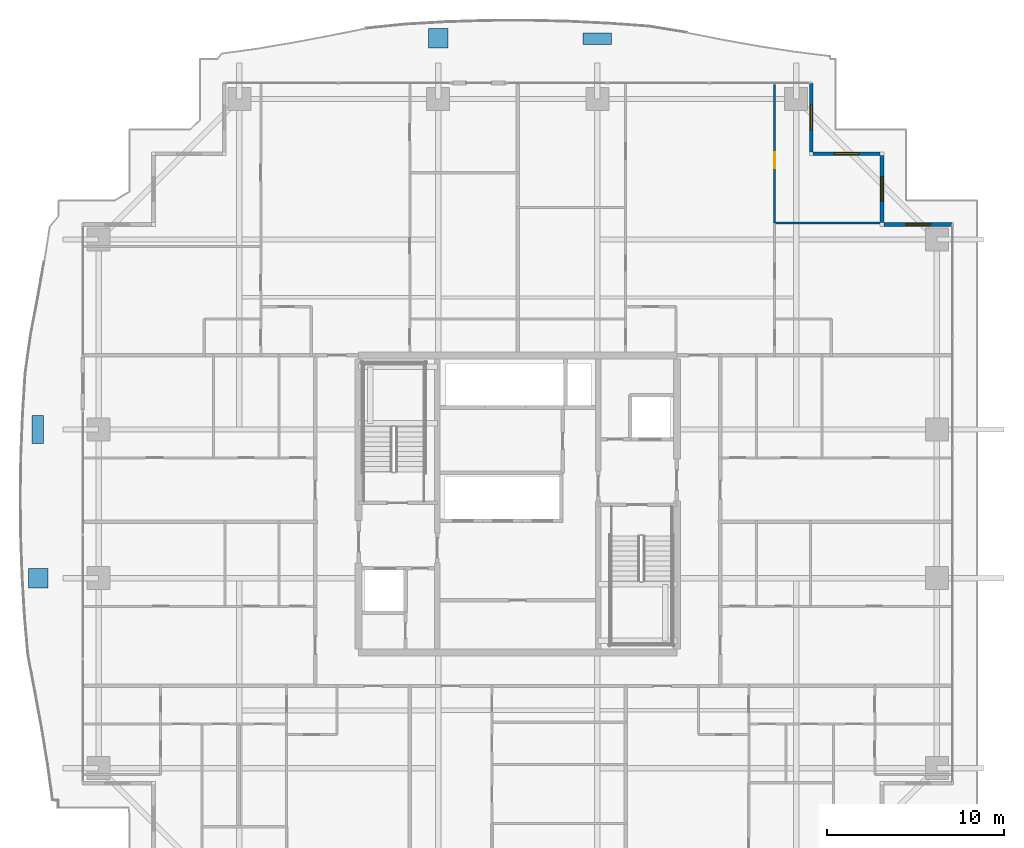
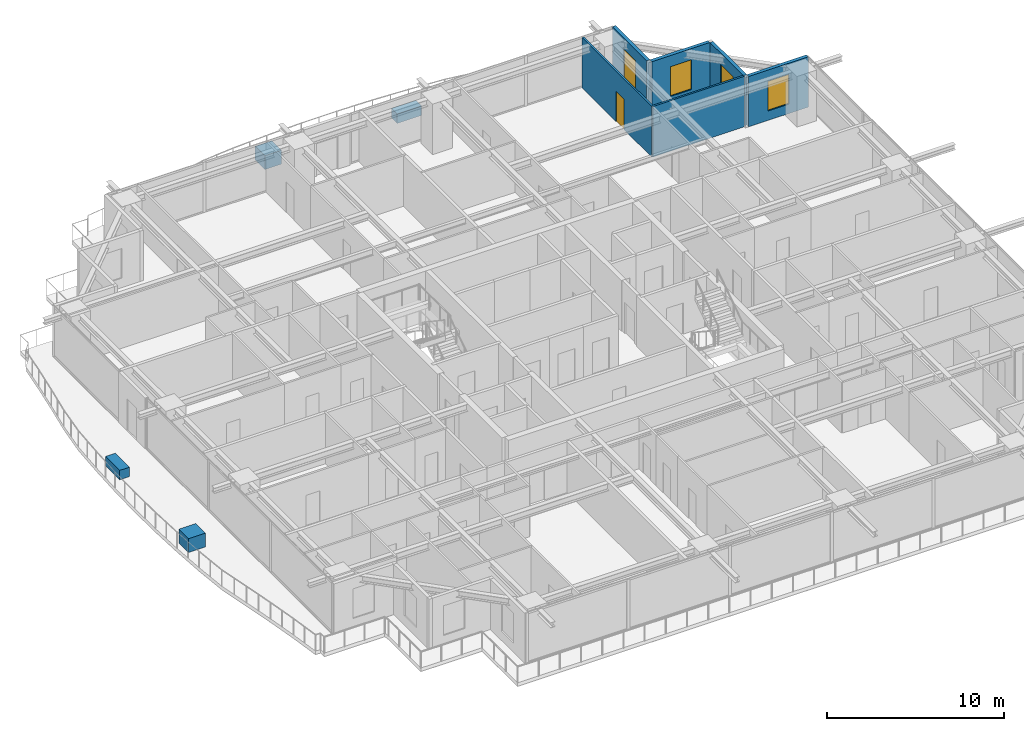
# One storey, part 31 of 37: 6 walls, 4 discrete accessories, 4 windows, 1 door, 5 openings.
"""IFC4 building model written with IfcOpenShell, lengths in metres."""

from ifc_helpers import new_model, si_unit, direction, frame, frame_2d, origin, origin_2d, place, context, subcontext, project, spatial, rectangle, extrude, source, transform, mapped, material, layer, layer_set, type_object, element, fill, save


model = new_model("IFC4")

# Units and contexts
model_context = context("Model", 3, precision=1e-05, world=origin(), true_north=direction((0.0, 1.0)))
body_context = subcontext(model_context, "Body", "Model", "MODEL_VIEW")
ifc_project = project(units=[si_unit("LENGTHUNIT", "METRE"), si_unit("AREAUNIT", "SQUARE_METRE"), si_unit("VOLUMEUNIT", "CUBIC_METRE"), si_unit("PLANEANGLEUNIT", "RADIAN"), si_unit("MASSUNIT", "GRAM", prefix="KILO")], contexts=[model_context])

# Site, building, storey
site_placement = place(None, origin())
site = spatial("IfcSite", under=ifc_project, at=site_placement, CompositionType="ELEMENT")
building_placement = place(site_placement, origin())
building = spatial("IfcBuilding", under=site, at=building_placement, Name="Serunith Strait Residences", CompositionType="ELEMENT")
storey_placement = place(building_placement, frame((0.0, 0.0, 127.64990234375)))
storey = spatial("IfcBuildingStorey", under=building, at=storey_placement, Name="L31", CompositionType="ELEMENT", Elevation=127.64990234375)

# Wall, opening, window
ifc_material_1 = material(Name="Pale-Champagne Aluminium Insulated Panel", Category="aluminium")
ifc_layer_1 = layer(ifc_material_1, 0.219970703125, Name="Pale-Champagne Aluminium Insulated Panel")
ifc_layer_set_1 = layer_set([ifc_layer_1], Name="Pale-Champagne Aluminium Insulated Panel")
wall_type_1 = type_object("IfcWallType", Name="EW-ALUM-220", PredefinedType="ELEMENTEDWALL", material=ifc_layer_set_1)
wall_1_placement = place(storey_placement, frame((57.0, 41.0, 0.0), z_axis=(0.0, 0.0, 1.0), x_axis=(-1.0, 0.0, 0.0)))
wall_1 = element("IfcWall", 1, at=wall_1_placement, inside=storey, type_object=wall_type_1, Name="L31 Girih Serrated Corner Wall 07", PredefinedType="ELEMENTEDWALL", context=body_context, shape_type="SweptSolid", body=[
    extrude(rectangle(XDim=3.889892578125, YDim=0.219970703125, at=frame_2d((1.94482421875, 0.0))), origin(), (0.0, 0.0, 1.0), 3.47509765625),
])
opening_1_placement = place(wall_1_placement, frame((1.2451171875, 0.0, 0.64990234375)))
opening_1 = element("IfcOpeningElement", 2, at=opening_1_placement, cuts=wall_1, Name="Opening W-03", PredefinedType="OPENING", context=body_context, shape_type="SweptSolid", body=[
    extrude(rectangle(XDim=1.39990234375, YDim=2.050048828125, at=frame_2d((0.699951171875, 1.02490234375))), frame((0.0, 0.1201171875, 0.0), z_axis=(0.0, -1.0, 0.0), x_axis=(1.0, 0.0, 0.0)), (0.0, 0.0, 1.0), 0.239990234375),
])
ifc_material_2 = material(Name="Ceramic-Fritted Operable Aluminium Window Glass", Category="aluminium")
window_type = type_object("IfcWindowType", Name="WIN-C3", PartitioningType="SINGLE_PANEL", PredefinedType="WINDOW", material=ifc_material_2)
shared_shape_1 = source(origin(), body_context, "Body", "SweptSolid", [
    extrude(rectangle(XDim=1.39990234375, YDim=2.050048828125, at=frame_2d((0.699951171875, 1.02490234375))), frame((0.0, 0.030029296875, 0.0), z_axis=(0.0, -1.0, 0.0), x_axis=(1.0, 0.0, 0.0)), (0.0, 0.0, 1.0), 0.06005859375),
])
window_1_placement = place(opening_1_placement, origin())
window_1 = element("IfcWindow", 3, at=window_1_placement, inside=storey, type_object=window_type, Name="L31 Corner Operable Fritted Window 07", OverallHeight=2.050048828125, OverallWidth=1.39990234375, PartitioningType="SINGLE_PANEL", PredefinedType="WINDOW", context=body_context, shape_type="MappedRepresentation", body=[
    mapped(shared_shape_1, transform((0.0, 0.0, 0.0), scale=1.0)),
])
fill(opening_1, window_1)

wall_2_placement = place(storey_placement, frame((53.0, 41.110107421875, 0.0), z_axis=(0.0, 0.0, 1.0), x_axis=(0.0, 1.0, 0.0)))
wall_2 = element("IfcWall", 4, at=wall_2_placement, inside=storey, type_object=wall_type_1, Name="L31 Girih Serrated Corner Wall 08", PredefinedType="ELEMENTEDWALL", context=body_context, shape_type="SweptSolid", body=[
    extrude(rectangle(XDim=3.77978515625, YDim=0.219970703125, at=frame_2d((1.889892578125, 0.0))), origin(), (0.0, 0.0, 1.0), 3.47509765625),
])
opening_2_placement = place(wall_2_placement, frame((1.18994140625, 0.0, 0.64990234375)))
opening_2 = element("IfcOpeningElement", 5, at=opening_2_placement, cuts=wall_2, Name="Opening W-03", PredefinedType="OPENING", context=body_context, shape_type="SweptSolid", body=[
    extrude(rectangle(XDim=1.39990234375, YDim=2.050048828125, at=frame_2d((0.699951171875, 1.02490234375))), frame((0.0, 0.1201171875, 0.0), z_axis=(0.0, -1.0, 0.0), x_axis=(1.0, 0.0, 0.0)), (0.0, 0.0, 1.0), 0.239990234375),
])
window_2_placement = place(opening_2_placement, origin())
window_2 = element("IfcWindow", 6, at=window_2_placement, inside=storey, type_object=window_type, Name="L31 Corner Operable Fritted Window 08", OverallHeight=2.050048828125, OverallWidth=1.39990234375, PartitioningType="SINGLE_PANEL", PredefinedType="WINDOW", context=body_context, shape_type="MappedRepresentation", body=[
    mapped(shared_shape_1, transform((0.0, 0.0, 0.0), scale=1.0)),
])
fill(opening_2, window_2)

wall_3_placement = place(storey_placement, frame((52.889892578125, 45.0, 0.0), z_axis=(0.0, 0.0, 1.0), x_axis=(-1.0, 0.0, 0.0)))
wall_3 = element("IfcWall", 7, at=wall_3_placement, inside=storey, type_object=wall_type_1, Name="L31 Girih Serrated Corner Wall 09", PredefinedType="ELEMENTEDWALL", context=body_context, shape_type="SweptSolid", body=[
    extrude(rectangle(XDim=3.77978515625, YDim=0.219970703125, at=frame_2d((1.889892578125, 0.0))), origin(), (0.0, 0.0, 1.0), 3.47509765625),
])
opening_3_placement = place(wall_3_placement, frame((1.18994140625, 0.0, 0.64990234375)))
opening_3 = element("IfcOpeningElement", 8, at=opening_3_placement, cuts=wall_3, Name="Opening W-03", PredefinedType="OPENING", context=body_context, shape_type="SweptSolid", body=[
    extrude(rectangle(XDim=1.39990234375, YDim=2.050048828125, at=frame_2d((0.699951171875, 1.02490234375))), frame((0.0, 0.1201171875, 0.0), z_axis=(0.0, -1.0, 0.0), x_axis=(1.0, 0.0, 0.0)), (0.0, 0.0, 1.0), 0.239990234375),
])
window_3_placement = place(opening_3_placement, origin())
window_3 = element("IfcWindow", 9, at=window_3_placement, inside=storey, type_object=window_type, Name="L31 Corner Operable Fritted Window 09", OverallHeight=2.050048828125, OverallWidth=1.39990234375, PartitioningType="SINGLE_PANEL", PredefinedType="WINDOW", context=body_context, shape_type="MappedRepresentation", body=[
    mapped(shared_shape_1, transform((0.0, 0.0, 0.0), scale=1.0)),
])
fill(opening_3, window_3)

wall_4_placement = place(storey_placement, frame((49.0, 45.110107421875, 0.0), z_axis=(0.0, 0.0, 1.0), x_axis=(0.0, 1.0, 0.0)))
wall_4 = element("IfcWall", 10, at=wall_4_placement, inside=storey, type_object=wall_type_1, Name="L31 Girih Serrated Corner Wall 10", PredefinedType="ELEMENTEDWALL", context=body_context, shape_type="SweptSolid", body=[
    extrude(rectangle(XDim=3.889892578125, YDim=0.219970703125, at=frame_2d((1.94482421875, 0.0))), origin(), (0.0, 0.0, 1.0), 3.47509765625),
])
opening_4_placement = place(wall_4_placement, frame((1.2451171875, 0.0, 0.64990234375)))
opening_4 = element("IfcOpeningElement", 11, at=opening_4_placement, cuts=wall_4, Name="Opening W-03", PredefinedType="OPENING", context=body_context, shape_type="SweptSolid", body=[
    extrude(rectangle(XDim=1.39990234375, YDim=2.050048828125, at=frame_2d((0.699951171875, 1.02490234375))), frame((0.0, 0.1201171875, 0.0), z_axis=(0.0, -1.0, 0.0), x_axis=(1.0, 0.0, 0.0)), (0.0, 0.0, 1.0), 0.239990234375),
])
window_4_placement = place(opening_4_placement, origin())
window_4 = element("IfcWindow", 12, at=window_4_placement, inside=storey, type_object=window_type, Name="L31 Corner Operable Fritted Window 10", OverallHeight=2.050048828125, OverallWidth=1.39990234375, PartitioningType="SINGLE_PANEL", PredefinedType="WINDOW", context=body_context, shape_type="MappedRepresentation", body=[
    mapped(shared_shape_1, transform((0.0, 0.0, 0.0), scale=1.0)),
])
fill(opening_4, window_4)

# Wall, opening, door
ifc_material_3 = material(Name="Lightweight steel-stud gypsum partition", Category="steel")
ifc_layer_2 = layer(ifc_material_3, 0.1201171875, Name="Lightweight steel-stud gypsum partition")
ifc_layer_set_2 = layer_set([ifc_layer_2], Name="Lightweight steel-stud gypsum partition")
wall_type_2 = type_object("IfcWallType", Name="IW-PART-120", PredefinedType="PARTITIONING", material=ifc_layer_set_2)
wall_5_placement = place(storey_placement, frame((46.929931640625, 48.905029296875, 0.0), z_axis=(0.0, 0.0, 1.0), x_axis=(0.0, -1.0, 0.0)))
wall_5 = element("IfcWall", 13, at=wall_5_placement, inside=storey, type_object=wall_type_2, Name="L31 Partition Wall 086", PredefinedType="PARTITIONING", context=body_context, shape_type="SweptSolid", body=[
    extrude(rectangle(XDim=7.830078125, YDim=0.1201171875, at=frame_2d((3.9150390625, 0.0))), origin(), (0.0, 0.0, 1.0), 3.489990234375),
])
opening_5_placement = place(wall_5_placement, frame((3.81103515625, 0.0, 0.0)))
opening_5 = element("IfcOpeningElement", 14, at=opening_5_placement, cuts=wall_5, Name="Opening D-RM900", PredefinedType="OPENING", context=body_context, shape_type="SweptSolid", body=[
    extrude(rectangle(XDim=0.89990234375, YDim=2.10009765625, at=frame_2d((0.449951171875, 1.050048828125))), frame((0.0, 0.070068359375, 0.0), z_axis=(0.0, -1.0, 0.0), x_axis=(1.0, 0.0, 0.0)), (0.0, 0.0, 1.0), 0.14013671875),
])
ifc_material_4 = material(Name="Engineered timber flush bedroom door", Category="wood")
door_type = type_object("IfcDoorType", Name="ID-ROOM-900", OperationType="NOTDEFINED", PredefinedType="DOOR", material=ifc_material_4)
shared_shape_2 = source(origin(), body_context, "Body", "SweptSolid", [
    extrude(rectangle(XDim=0.89990234375, YDim=2.10009765625, at=frame_2d((0.449951171875, 1.050048828125))), frame((0.0, 0.02490234375, 0.0), z_axis=(0.0, -1.0, 0.0), x_axis=(1.0, 0.0, 0.0)), (0.0, 0.0, 1.0), 0.050048828125),
])
door_placement = place(opening_5_placement, origin())
door = element("IfcDoor", 15, at=door_placement, inside=storey, type_object=door_type, Name="L31 Bedroom 2 3105 Door", OperationType="SINGLE_SWING_RIGHT", OverallHeight=2.10009765625, OverallWidth=0.89990234375, PredefinedType="DOOR", context=body_context, shape_type="MappedRepresentation", body=[
    mapped(shared_shape_2, transform((0.0, 0.0, 0.0), scale=1.0)),
])
fill(opening_5, door)

# Wall
wall_6_placement = place(storey_placement, frame((46.929931640625, 41.074951171875, 0.0), z_axis=(0.0, 0.0, 1.0), x_axis=(1.0, 0.0, 0.0)))
element("IfcWall", 16, at=wall_6_placement, inside=storey, type_object=wall_type_2, Name="L31 Partition Wall 087", PredefinedType="PARTITIONING", context=body_context, shape_type="SweptSolid", body=[
    extrude(rectangle(XDim=5.97509765625, YDim=0.1201171875, at=frame_2d((2.987548828125, 0.0))), origin(), (0.0, 0.0, 1.0), 3.489990234375),
])

# Discrete accessories
ifc_material_5 = material(Name="GFRC Root-Anchored Structural Planter")
discrete_accessory_type_1 = type_object("IfcDiscreteAccessoryType", Name="ACC-PLANTER-TREE", PredefinedType="USERDEFINED", material=ifc_material_5)
shared_shape_3 = source(origin(), body_context, "Body", "SweptSolid", [
    extrude(rectangle(XDim=1.10009765625, YDim=1.10009765625, at=origin_2d()), origin(), (0.0, 0.0, 1.0), 0.949951171875),
])
for number, where, z_axis, x_axis, name in (
    (17, (27.89990234375, 51.53271484375, -0.0498046875), (0.0, 0.0, 1.0), (-1.0, 0.0, 0.0), "L31 Vertical-Forest Tree Planter 06"),
    (18, (5.284423828125, 21.0, -0.0498046875), (0.0, 0.0, 1.0), (0.0, -1.0, 0.0), "L31 Vertical-Forest Tree Planter 14"),
):
    element("IfcDiscreteAccessory", number, at=place(storey_placement, frame(where, z_axis=z_axis, x_axis=x_axis)), inside=storey, type_object=discrete_accessory_type_1, Name=name, ObjectType="PLANTER", PredefinedType="USERDEFINED", context=body_context, shape_type="MappedRepresentation", body=[
        mapped(shared_shape_3, transform((0.0, 0.0, 0.0), scale=1.0)),
    ])
ifc_material_6 = material(Name="GFRC Irrigated Shrub Trough Planter")
discrete_accessory_type_2 = type_object("IfcDiscreteAccessoryType", Name="ACC-PLANTER-SHRUB", PredefinedType="USERDEFINED", material=ifc_material_6)
shared_shape_4 = source(origin(), body_context, "Body", "SweptSolid", [
    extrude(rectangle(XDim=1.60009765625, YDim=0.64990234375, at=origin_2d()), origin(), (0.0, 0.0, 1.0), 0.64990234375),
])
for number, where, z_axis, x_axis, name in (
    (19, (36.89990234375, 51.50439453125, -0.0498046875), (0.0, 0.0, 1.0), (-1.0, 0.0, 0.0), "L31 Vertical-Forest Shrub Planter 07"),
    (20, (5.26513671875, 29.39990234375, -0.0498046875), (0.0, 0.0, 1.0), (0.0, -1.0, 0.0), "L31 Vertical-Forest Shrub Planter 15"),
):
    element("IfcDiscreteAccessory", number, at=place(storey_placement, frame(where, z_axis=z_axis, x_axis=x_axis)), inside=storey, type_object=discrete_accessory_type_2, Name=name, ObjectType="PLANTER", PredefinedType="USERDEFINED", context=body_context, shape_type="MappedRepresentation", body=[
        mapped(shared_shape_4, transform((0.0, 0.0, 0.0), scale=1.0)),
    ])

save(model, "model.ifc")
